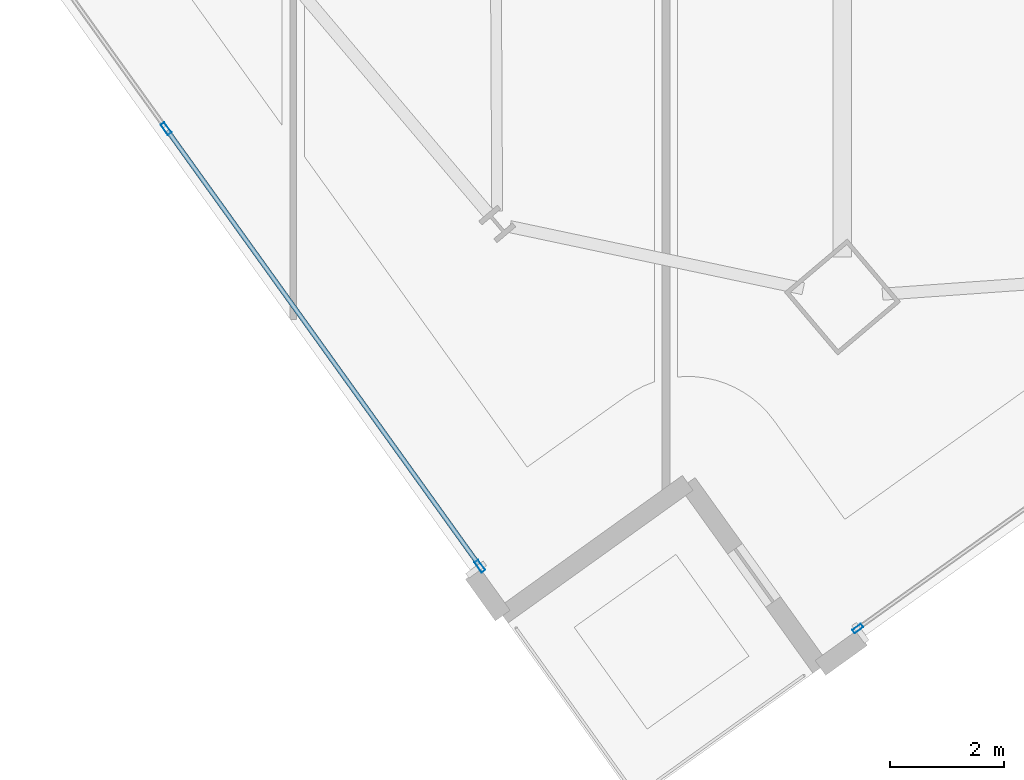
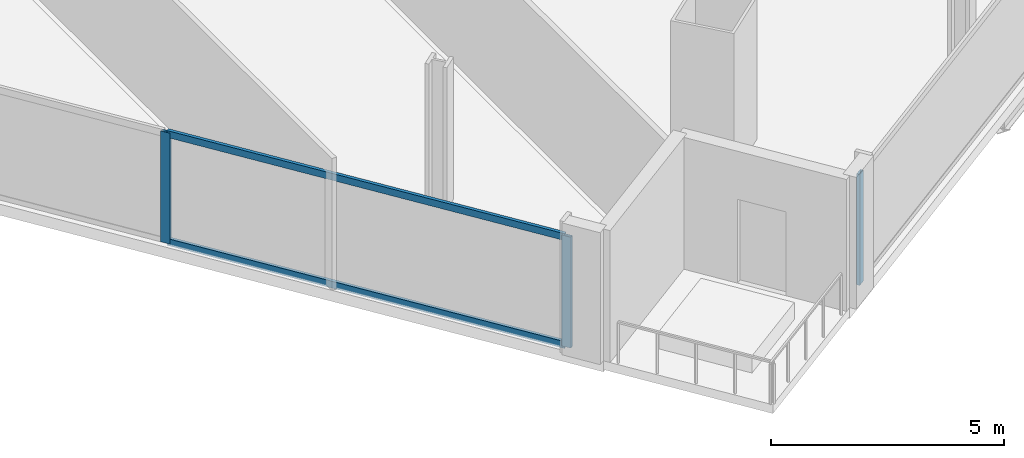
# One storey, part 2 of 33: 5 members, 2 elements without a shape of their own.
"""IFC4 building model written with IfcOpenShell, lengths in metres."""

from ifc_helpers import new_model, si_unit, direction, frame, origin, origin_2d, place, context, subcontext, project, spatial, hollow_rectangle, extrude, material, material_profile, profile_set, type_object, element, aggregate, save


model = new_model("IFC4")

# Units and contexts
model_context = context("Model", 3, precision=1e-05, world=origin(), true_north=direction((0.0, 1.0)))
body_context = subcontext(model_context, "Body", "Model", "MODEL_VIEW")
ifc_project = project(units=[si_unit("LENGTHUNIT", "METRE"), si_unit("AREAUNIT", "SQUARE_METRE"), si_unit("VOLUMEUNIT", "CUBIC_METRE"), si_unit("PLANEANGLEUNIT", "RADIAN"), si_unit("MASSUNIT", "GRAM", prefix="KILO")], contexts=[model_context])

# Site, building, storey
site_placement = place(None, origin())
site = spatial("IfcSite", under=ifc_project, at=site_placement, CompositionType="ELEMENT")
building_placement = place(site_placement, origin())
building = spatial("IfcBuilding", under=site, at=building_placement, Name="Haldenkirk Collegiate Tower", CompositionType="ELEMENT")
storey_placement = place(building_placement, frame((0.0, 0.0, 148.199951171875)))
storey = spatial("IfcBuildingStorey", under=building, at=storey_placement, Name="L36", CompositionType="ELEMENT", Elevation=148.199951171875)

# Curtain wall, member
ifc_material = material(Name="Anodised architectural bronze aluminium", Category="aluminium")
curtain_wall_type_1 = type_object("IfcCurtainWallType", Name="CW-SYS2-CONCAVE", PredefinedType="USERDEFINED", material=ifc_material)
curtain_wall_1_placement = place(storey_placement, origin())
curtain_wall_1 = element("IfcCurtainWall", 1, at=curtain_wall_1_placement, inside=storey, type_object=curtain_wall_type_1, Name="L36 South concave recessed bronze-anodised curtain wall", ObjectType="UNITISED CURTAIN WALL", PredefinedType="USERDEFINED")
ifc_material_profile_1 = material_profile(ifc_material, hollow_rectangle(XDim=0.074951171875, YDim=0.18994140625, WallThickness=0.0048828125, at=origin_2d()), Name="CW-MUL-02")
ifc_profile_set_1 = profile_set([ifc_material_profile_1], Name="Anodised architectural bronze aluminium")
member_type_1 = type_object("IfcMemberType", Name="CW-MUL-02", PredefinedType="MULLION", material=ifc_profile_set_1)
member_1_placement = place(storey_placement, frame((33.41796875, -5.16552734375, 0.0), z_axis=(0.0, 0.0, 1.0), x_axis=(0.582833529689, -0.812591580482, 0.0)))
member_1 = element("IfcMember", 2, at=member_1_placement, type_object=member_type_1, Name="CW-02 mullion 5", PredefinedType="MULLION", context=body_context, shape_type="SweptSolid", body=[
    extrude(hollow_rectangle(XDim=0.074951171875, YDim=0.18994140625, WallThickness=0.0048828125, at=origin_2d()), origin(), (0.0, 0.0, 1.0), 2.9111328125),
])
aggregate(curtain_wall_1, [member_1])

# Curtain wall, members
curtain_wall_type_2 = type_object("IfcCurtainWallType", Name="CW-SYS1-CONVEX-LOW", PredefinedType="USERDEFINED", material=ifc_material)
curtain_wall_2_placement = place(storey_placement, origin())
curtain_wall_2 = element("IfcCurtainWall", 3, at=curtain_wall_2_placement, inside=storey, type_object=curtain_wall_type_2, Name="L36 Lower tower convex bronze-framed unitised curtain wall", ObjectType="UNITISED CURTAIN WALL", PredefinedType="USERDEFINED")
ifc_material_profile_2 = material_profile(ifc_material, hollow_rectangle(XDim=0.080078125, YDim=0.219970703125, WallThickness=0.0048828125, at=origin_2d()), Name="CW-MUL-1A")
ifc_profile_set_2 = profile_set([ifc_material_profile_2], Name="Anodised architectural bronze aluminium")
member_type_2 = type_object("IfcMemberType", Name="CW-MUL-1A", PredefinedType="MULLION", material=ifc_profile_set_2)
member_2_placement = place(storey_placement, frame((26.77783203125, -4.070556640625, 0.0), z_axis=(0.0, 0.0, 1.0), x_axis=(-0.812592330235, -0.582832484375, 0.0)))
member_2 = element("IfcMember", 4, at=member_2_placement, type_object=member_type_2, Name="CW-1A mullion 1", PredefinedType="MULLION", context=body_context, shape_type="SweptSolid", body=[
    extrude(hollow_rectangle(XDim=0.080078125, YDim=0.219970703125, WallThickness=0.0048828125, at=origin_2d()), origin(), (0.0, 0.0, 1.0), 2.9111328125),
])
member_3_placement = place(storey_placement, frame((21.26416015625, 3.61669921875, 0.0), z_axis=(0.0, 0.0, 1.0), x_axis=(-0.812592330235, -0.582832484375, 0.0)))
member_3 = element("IfcMember", 5, at=member_3_placement, type_object=member_type_2, Name="CW-1A mullion 2", PredefinedType="MULLION", context=body_context, shape_type="SweptSolid", body=[
    extrude(hollow_rectangle(XDim=0.080078125, YDim=0.219970703125, WallThickness=0.0048828125, at=origin_2d()), origin(), (0.0, 0.0, 1.0), 2.9111328125),
])
ifc_material_profile_3 = material_profile(ifc_material, hollow_rectangle(XDim=0.080078125, YDim=0.179931640625, WallThickness=0.0048828125, at=origin_2d()), Name="CW-TRN-1A")
ifc_profile_set_3 = profile_set([ifc_material_profile_3], Name="Anodised architectural bronze aluminium")
member_type_3 = type_object("IfcMemberType", Name="CW-TRN-1A", PredefinedType="USERDEFINED", material=ifc_profile_set_3)
member_4_placement = place(storey_placement, frame((26.75439453125, -4.0380859375, 0.0400390625), z_axis=(-0.582810371238, 0.812608190444, 0.0), x_axis=(-0.812608190444, -0.582810371238, 0.0)))
member_4 = element("IfcMember", 6, at=member_4_placement, type_object=member_type_3, Name="CW-1A transom 1.1", ObjectType="TRANSOM", PredefinedType="USERDEFINED", context=body_context, shape_type="SweptSolid", body=[
    extrude(hollow_rectangle(XDim=0.080078125, YDim=0.179931640625, WallThickness=0.0048828125, at=origin_2d()), origin(), (0.0, 0.0, 1.0), 9.380126953125),
])
member_5_placement = place(storey_placement, frame((26.75439453125, -4.0380859375, 2.87109375), z_axis=(-0.582810371238, 0.812608190444, 0.0), x_axis=(-0.812608190444, -0.582810371238, 0.0)))
member_5 = element("IfcMember", 7, at=member_5_placement, type_object=member_type_3, Name="CW-1A transom 1.2", ObjectType="TRANSOM", PredefinedType="USERDEFINED", context=body_context, shape_type="SweptSolid", body=[
    extrude(hollow_rectangle(XDim=0.080078125, YDim=0.179931640625, WallThickness=0.0048828125, at=origin_2d()), origin(), (0.0, 0.0, 1.0), 9.380126953125),
])
aggregate(curtain_wall_2, [member_2, member_3, member_4, member_5])

save(model, "model.ifc")
